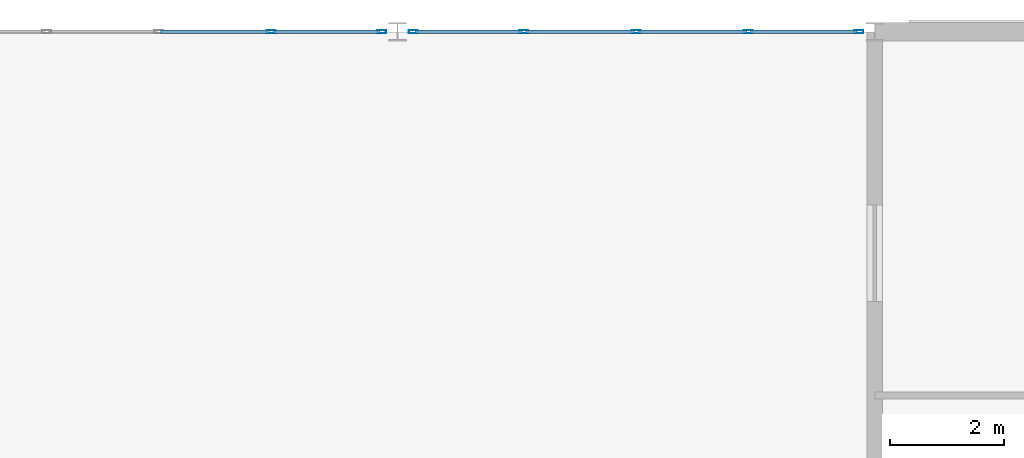
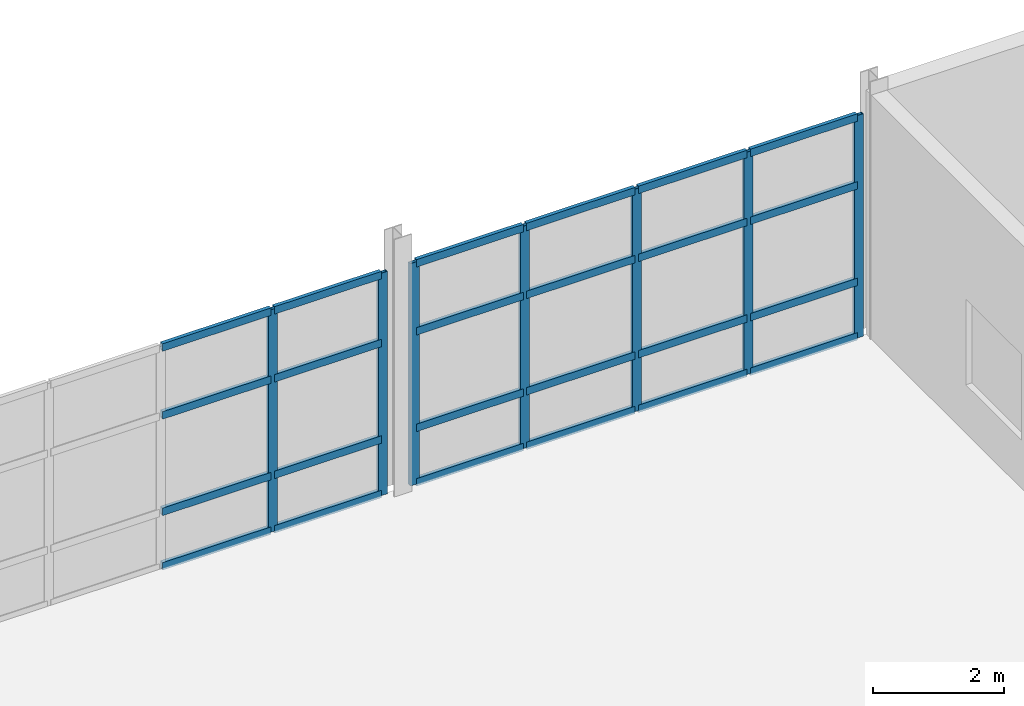
# One storey, part 9 of 14: 31 members, 2 elements without a shape of their own.
"""IFC4 building model written with IfcOpenShell, lengths in metres."""

from ifc_helpers import new_model, si_unit, direction, frame, origin, origin_2d, place, context, subcontext, project, spatial, hollow_rectangle, extrude, material, layer, layer_set, material_profile, profile_set, type_object, element, aggregate, save


model = new_model("IFC4")

# Units and contexts
model_context = context("Model", 3, precision=1e-05, world=origin(), true_north=direction((0.0, 1.0)))
body_context = subcontext(model_context, "Body", "Model", "MODEL_VIEW")
ifc_project = project(units=[si_unit("LENGTHUNIT", "METRE"), si_unit("AREAUNIT", "SQUARE_METRE"), si_unit("VOLUMEUNIT", "CUBIC_METRE"), si_unit("PLANEANGLEUNIT", "RADIAN"), si_unit("MASSUNIT", "GRAM", prefix="KILO")], contexts=[model_context])

# Site, building, storey
site_placement = place(None, origin())
site = spatial("IfcSite", under=ifc_project, at=site_placement, CompositionType="ELEMENT")
building_placement = place(site_placement, origin())
building = spatial("IfcBuilding", under=site, at=building_placement, Name="Selat Folded Stagehouse", CompositionType="ELEMENT")
storey_placement = place(building_placement, frame((0.0, 0.0, 27.60009765625)))
storey = spatial("IfcBuildingStorey", under=building, at=storey_placement, Name="L06", CompositionType="ELEMENT", Elevation=27.60009765625)

# Curtain wall, members
ifc_material = material(Name="Aluminium 6063-T6", Category="aluminium")
ifc_layer = layer(ifc_material, 0.175048828125)
ifc_layer_set = layer_set([ifc_layer], Name="Aluminium 6063-T6")
curtain_wall_type = type_object("IfcCurtainWallType", Name="CW-BRG-GLAZ", PredefinedType="NOTDEFINED", material=ifc_layer_set)
curtain_wall_1_placement = place(storey_placement, origin())
curtain_wall_1 = element("IfcCurtainWall", 1, at=curtain_wall_1_placement, inside=storey, type_object=curtain_wall_type, Name="L06 curtain wall CW-BRG-29", PredefinedType="NOTDEFINED")
ifc_material_profile_1 = material_profile(ifc_material, hollow_rectangle(XDim=0.06005859375, YDim=0.159912109375, WallThickness=0.00390625, at=origin_2d()), Name="ALU 160x60x4.0")
ifc_profile_set_1 = profile_set([ifc_material_profile_1], Name="Aluminium 6063-T6")
member_type_1 = type_object("IfcMemberType", Name="CWM-MUL-160x60", PredefinedType="MULLION", material=ifc_profile_set_1)
member_1_placement = place(storey_placement, frame((22.97509765625, 54.60009765625, 0.0), z_axis=(0.0, 0.0, 1.0), x_axis=(0.0, 1.0, 0.0)))
member_1 = element("IfcMember", 2, at=member_1_placement, type_object=member_type_1, Name="CW-07 mullion 4", PredefinedType="MULLION", context=body_context, shape_type="SweptSolid", body=[
    extrude(hollow_rectangle(XDim=0.06005859375, YDim=0.159912109375, WallThickness=0.00390625, at=origin_2d()), origin(), (0.0, 0.0, 1.0), 4.14990234375),
])
member_2_placement = place(storey_placement, frame((24.919921875, 54.60009765625, 0.0), z_axis=(0.0, 0.0, 1.0), x_axis=(0.0, 1.0, 0.0)))
member_2 = element("IfcMember", 3, at=member_2_placement, type_object=member_type_1, Name="CW-07 mullion 5", PredefinedType="MULLION", context=body_context, shape_type="SweptSolid", body=[
    extrude(hollow_rectangle(XDim=0.06005859375, YDim=0.159912109375, WallThickness=0.00390625, at=origin_2d()), origin(), (0.0, 0.0, 1.0), 4.14990234375),
])

curtain_wall_2_placement = place(storey_placement, origin())
curtain_wall_2 = element("IfcCurtainWall", 4, at=curtain_wall_2_placement, inside=storey, type_object=curtain_wall_type, Name="L06 curtain wall CW-BRG-30", PredefinedType="NOTDEFINED")
member_3_placement = place(storey_placement, frame((25.47998046875, 54.60009765625, 0.0), z_axis=(0.0, 0.0, 1.0), x_axis=(0.0, 1.0, 0.0)))
member_3 = element("IfcMember", 5, at=member_3_placement, type_object=member_type_1, Name="CW-07 mullion 1", PredefinedType="MULLION", context=body_context, shape_type="SweptSolid", body=[
    extrude(hollow_rectangle(XDim=0.06005859375, YDim=0.159912109375, WallThickness=0.00390625, at=origin_2d()), origin(), (0.0, 0.0, 1.0), 4.14990234375),
])
member_4_placement = place(storey_placement, frame((27.425048828125, 54.60009765625, 0.0), z_axis=(0.0, 0.0, 1.0), x_axis=(0.0, 1.0, 0.0)))
member_4 = element("IfcMember", 6, at=member_4_placement, type_object=member_type_1, Name="CW-07 mullion 2", PredefinedType="MULLION", context=body_context, shape_type="SweptSolid", body=[
    extrude(hollow_rectangle(XDim=0.06005859375, YDim=0.159912109375, WallThickness=0.00390625, at=origin_2d()), origin(), (0.0, 0.0, 1.0), 4.14990234375),
])
member_5_placement = place(storey_placement, frame((29.39990234375, 54.60009765625, 0.0), z_axis=(0.0, 0.0, 1.0), x_axis=(0.0, 1.0, 0.0)))
member_5 = element("IfcMember", 7, at=member_5_placement, type_object=member_type_1, Name="CW-07 mullion 3", PredefinedType="MULLION", context=body_context, shape_type="SweptSolid", body=[
    extrude(hollow_rectangle(XDim=0.06005859375, YDim=0.159912109375, WallThickness=0.00390625, at=origin_2d()), origin(), (0.0, 0.0, 1.0), 4.14990234375),
])
member_6_placement = place(storey_placement, frame((31.375, 54.60009765625, 0.0), z_axis=(0.0, 0.0, 1.0), x_axis=(0.0, 1.0, 0.0)))
member_6 = element("IfcMember", 8, at=member_6_placement, type_object=member_type_1, Name="CW-07 mullion 4", PredefinedType="MULLION", context=body_context, shape_type="SweptSolid", body=[
    extrude(hollow_rectangle(XDim=0.06005859375, YDim=0.159912109375, WallThickness=0.00390625, at=origin_2d()), origin(), (0.0, 0.0, 1.0), 4.14990234375),
])
member_7_placement = place(storey_placement, frame((33.320068359375, 54.60009765625, 0.0), z_axis=(0.0, 0.0, 1.0), x_axis=(0.0, 1.0, 0.0)))
member_7 = element("IfcMember", 9, at=member_7_placement, type_object=member_type_1, Name="CW-07 mullion 5", PredefinedType="MULLION", context=body_context, shape_type="SweptSolid", body=[
    extrude(hollow_rectangle(XDim=0.06005859375, YDim=0.159912109375, WallThickness=0.00390625, at=origin_2d()), origin(), (0.0, 0.0, 1.0), 4.14990234375),
])

# Member
ifc_material_profile_2 = material_profile(ifc_material, hollow_rectangle(XDim=0.06494140625, YDim=0.139892578125, WallThickness=0.00390625, at=origin_2d()), Name="ALU 140x65x4.0")
ifc_profile_set_2 = profile_set([ifc_material_profile_2], Name="Aluminium 6063-T6")
member_type_2 = type_object("IfcMemberType", Name="CWM-TRN-140x65", PredefinedType="USERDEFINED", material=ifc_profile_set_2)
member_8_placement = place(storey_placement, frame((21.030029296875, 54.60009765625, 0.032470703125), z_axis=(1.0, 0.0, 0.0), x_axis=(0.0, 1.0, 0.0)))
member_8 = element("IfcMember", 10, at=member_8_placement, type_object=member_type_2, Name="CW-07 transom 3.1", ObjectType="TRANSOM", PredefinedType="USERDEFINED", context=body_context, shape_type="SweptSolid", body=[
    extrude(hollow_rectangle(XDim=0.06494140625, YDim=0.139892578125, WallThickness=0.00390625, at=origin_2d()), origin(), (0.0, 0.0, 1.0), 1.9150390625),
])

member_9_placement = place(storey_placement, frame((21.030029296875, 54.60009765625, 1.0498046875), z_axis=(1.0, 0.0, 0.0), x_axis=(0.0, 1.0, 0.0)))
member_9 = element("IfcMember", 11, at=member_9_placement, type_object=member_type_2, Name="CW-07 transom 3.2", ObjectType="TRANSOM", PredefinedType="USERDEFINED", context=body_context, shape_type="SweptSolid", body=[
    extrude(hollow_rectangle(XDim=0.06494140625, YDim=0.139892578125, WallThickness=0.00390625, at=origin_2d()), origin(), (0.0, 0.0, 1.0), 1.9150390625),
])

member_10_placement = place(storey_placement, frame((21.030029296875, 54.60009765625, 2.849853515625), z_axis=(1.0, 0.0, 0.0), x_axis=(0.0, 1.0, 0.0)))
member_10 = element("IfcMember", 12, at=member_10_placement, type_object=member_type_2, Name="CW-07 transom 3.3", ObjectType="TRANSOM", PredefinedType="USERDEFINED", context=body_context, shape_type="SweptSolid", body=[
    extrude(hollow_rectangle(XDim=0.06494140625, YDim=0.139892578125, WallThickness=0.00390625, at=origin_2d()), origin(), (0.0, 0.0, 1.0), 1.9150390625),
])

member_11_placement = place(storey_placement, frame((21.030029296875, 54.60009765625, 4.117431640625), z_axis=(1.0, 0.0, 0.0), x_axis=(0.0, 1.0, 0.0)))
member_11 = element("IfcMember", 13, at=member_11_placement, type_object=member_type_2, Name="CW-07 transom 3.4", ObjectType="TRANSOM", PredefinedType="USERDEFINED", context=body_context, shape_type="SweptSolid", body=[
    extrude(hollow_rectangle(XDim=0.06494140625, YDim=0.139892578125, WallThickness=0.00390625, at=origin_2d()), origin(), (0.0, 0.0, 1.0), 1.9150390625),
])

member_12_placement = place(storey_placement, frame((23.0048828125, 54.60009765625, 0.032470703125), z_axis=(1.0, 0.0, 0.0), x_axis=(0.0, 1.0, 0.0)))
member_12 = element("IfcMember", 14, at=member_12_placement, type_object=member_type_2, Name="CW-07 transom 4.1", ObjectType="TRANSOM", PredefinedType="USERDEFINED", context=body_context, shape_type="SweptSolid", body=[
    extrude(hollow_rectangle(XDim=0.06494140625, YDim=0.139892578125, WallThickness=0.00390625, at=origin_2d()), origin(), (0.0, 0.0, 1.0), 1.885009765625),
])

member_13_placement = place(storey_placement, frame((23.0048828125, 54.60009765625, 1.0498046875), z_axis=(1.0, 0.0, 0.0), x_axis=(0.0, 1.0, 0.0)))
member_13 = element("IfcMember", 15, at=member_13_placement, type_object=member_type_2, Name="CW-07 transom 4.2", ObjectType="TRANSOM", PredefinedType="USERDEFINED", context=body_context, shape_type="SweptSolid", body=[
    extrude(hollow_rectangle(XDim=0.06494140625, YDim=0.139892578125, WallThickness=0.00390625, at=origin_2d()), origin(), (0.0, 0.0, 1.0), 1.885009765625),
])

member_14_placement = place(storey_placement, frame((23.0048828125, 54.60009765625, 2.849853515625), z_axis=(1.0, 0.0, 0.0), x_axis=(0.0, 1.0, 0.0)))
member_14 = element("IfcMember", 16, at=member_14_placement, type_object=member_type_2, Name="CW-07 transom 4.3", ObjectType="TRANSOM", PredefinedType="USERDEFINED", context=body_context, shape_type="SweptSolid", body=[
    extrude(hollow_rectangle(XDim=0.06494140625, YDim=0.139892578125, WallThickness=0.00390625, at=origin_2d()), origin(), (0.0, 0.0, 1.0), 1.885009765625),
])

member_15_placement = place(storey_placement, frame((23.0048828125, 54.60009765625, 4.117431640625), z_axis=(1.0, 0.0, 0.0), x_axis=(0.0, 1.0, 0.0)))
member_15 = element("IfcMember", 17, at=member_15_placement, type_object=member_type_2, Name="CW-07 transom 4.4", ObjectType="TRANSOM", PredefinedType="USERDEFINED", context=body_context, shape_type="SweptSolid", body=[
    extrude(hollow_rectangle(XDim=0.06494140625, YDim=0.139892578125, WallThickness=0.00390625, at=origin_2d()), origin(), (0.0, 0.0, 1.0), 1.885009765625),
])

aggregate(curtain_wall_1, [member_1, member_2, member_8, member_9, member_10, member_11, member_12, member_13, member_14, member_15])

member_16_placement = place(storey_placement, frame((25.510009765625, 54.60009765625, 0.032470703125), z_axis=(1.0, 0.0, 0.0), x_axis=(0.0, 1.0, 0.0)))
member_16 = element("IfcMember", 18, at=member_16_placement, type_object=member_type_2, Name="CW-07 transom 1.1", ObjectType="TRANSOM", PredefinedType="USERDEFINED", context=body_context, shape_type="SweptSolid", body=[
    extrude(hollow_rectangle(XDim=0.06494140625, YDim=0.139892578125, WallThickness=0.00390625, at=origin_2d()), origin(), (0.0, 0.0, 1.0), 1.885009765625),
])

member_17_placement = place(storey_placement, frame((25.510009765625, 54.60009765625, 1.0498046875), z_axis=(1.0, 0.0, 0.0), x_axis=(0.0, 1.0, 0.0)))
member_17 = element("IfcMember", 19, at=member_17_placement, type_object=member_type_2, Name="CW-07 transom 1.2", ObjectType="TRANSOM", PredefinedType="USERDEFINED", context=body_context, shape_type="SweptSolid", body=[
    extrude(hollow_rectangle(XDim=0.06494140625, YDim=0.139892578125, WallThickness=0.00390625, at=origin_2d()), origin(), (0.0, 0.0, 1.0), 1.885009765625),
])

member_18_placement = place(storey_placement, frame((25.510009765625, 54.60009765625, 2.849853515625), z_axis=(1.0, 0.0, 0.0), x_axis=(0.0, 1.0, 0.0)))
member_18 = element("IfcMember", 20, at=member_18_placement, type_object=member_type_2, Name="CW-07 transom 1.3", ObjectType="TRANSOM", PredefinedType="USERDEFINED", context=body_context, shape_type="SweptSolid", body=[
    extrude(hollow_rectangle(XDim=0.06494140625, YDim=0.139892578125, WallThickness=0.00390625, at=origin_2d()), origin(), (0.0, 0.0, 1.0), 1.885009765625),
])

member_19_placement = place(storey_placement, frame((25.510009765625, 54.60009765625, 4.117431640625), z_axis=(1.0, 0.0, 0.0), x_axis=(0.0, 1.0, 0.0)))
member_19 = element("IfcMember", 21, at=member_19_placement, type_object=member_type_2, Name="CW-07 transom 1.4", ObjectType="TRANSOM", PredefinedType="USERDEFINED", context=body_context, shape_type="SweptSolid", body=[
    extrude(hollow_rectangle(XDim=0.06494140625, YDim=0.139892578125, WallThickness=0.00390625, at=origin_2d()), origin(), (0.0, 0.0, 1.0), 1.885009765625),
])

member_20_placement = place(storey_placement, frame((27.455078125, 54.60009765625, 0.032470703125), z_axis=(1.0, 0.0, 0.0), x_axis=(0.0, 1.0, 0.0)))
member_20 = element("IfcMember", 22, at=member_20_placement, type_object=member_type_2, Name="CW-07 transom 2.1", ObjectType="TRANSOM", PredefinedType="USERDEFINED", context=body_context, shape_type="SweptSolid", body=[
    extrude(hollow_rectangle(XDim=0.06494140625, YDim=0.139892578125, WallThickness=0.00390625, at=origin_2d()), origin(), (0.0, 0.0, 1.0), 1.9150390625),
])

member_21_placement = place(storey_placement, frame((27.455078125, 54.60009765625, 1.0498046875), z_axis=(1.0, 0.0, 0.0), x_axis=(0.0, 1.0, 0.0)))
member_21 = element("IfcMember", 23, at=member_21_placement, type_object=member_type_2, Name="CW-07 transom 2.2", ObjectType="TRANSOM", PredefinedType="USERDEFINED", context=body_context, shape_type="SweptSolid", body=[
    extrude(hollow_rectangle(XDim=0.06494140625, YDim=0.139892578125, WallThickness=0.00390625, at=origin_2d()), origin(), (0.0, 0.0, 1.0), 1.9150390625),
])

member_22_placement = place(storey_placement, frame((27.455078125, 54.60009765625, 2.849853515625), z_axis=(1.0, 0.0, 0.0), x_axis=(0.0, 1.0, 0.0)))
member_22 = element("IfcMember", 24, at=member_22_placement, type_object=member_type_2, Name="CW-07 transom 2.3", ObjectType="TRANSOM", PredefinedType="USERDEFINED", context=body_context, shape_type="SweptSolid", body=[
    extrude(hollow_rectangle(XDim=0.06494140625, YDim=0.139892578125, WallThickness=0.00390625, at=origin_2d()), origin(), (0.0, 0.0, 1.0), 1.9150390625),
])

member_23_placement = place(storey_placement, frame((27.455078125, 54.60009765625, 4.117431640625), z_axis=(1.0, 0.0, 0.0), x_axis=(0.0, 1.0, 0.0)))
member_23 = element("IfcMember", 25, at=member_23_placement, type_object=member_type_2, Name="CW-07 transom 2.4", ObjectType="TRANSOM", PredefinedType="USERDEFINED", context=body_context, shape_type="SweptSolid", body=[
    extrude(hollow_rectangle(XDim=0.06494140625, YDim=0.139892578125, WallThickness=0.00390625, at=origin_2d()), origin(), (0.0, 0.0, 1.0), 1.9150390625),
])

member_24_placement = place(storey_placement, frame((29.429931640625, 54.60009765625, 0.032470703125), z_axis=(1.0, 0.0, 0.0), x_axis=(0.0, 1.0, 0.0)))
member_24 = element("IfcMember", 26, at=member_24_placement, type_object=member_type_2, Name="CW-07 transom 3.1", ObjectType="TRANSOM", PredefinedType="USERDEFINED", context=body_context, shape_type="SweptSolid", body=[
    extrude(hollow_rectangle(XDim=0.06494140625, YDim=0.139892578125, WallThickness=0.00390625, at=origin_2d()), origin(), (0.0, 0.0, 1.0), 1.9150390625),
])

member_25_placement = place(storey_placement, frame((29.429931640625, 54.60009765625, 1.0498046875), z_axis=(1.0, 0.0, 0.0), x_axis=(0.0, 1.0, 0.0)))
member_25 = element("IfcMember", 27, at=member_25_placement, type_object=member_type_2, Name="CW-07 transom 3.2", ObjectType="TRANSOM", PredefinedType="USERDEFINED", context=body_context, shape_type="SweptSolid", body=[
    extrude(hollow_rectangle(XDim=0.06494140625, YDim=0.139892578125, WallThickness=0.00390625, at=origin_2d()), origin(), (0.0, 0.0, 1.0), 1.9150390625),
])

member_26_placement = place(storey_placement, frame((29.429931640625, 54.60009765625, 2.849853515625), z_axis=(1.0, 0.0, 0.0), x_axis=(0.0, 1.0, 0.0)))
member_26 = element("IfcMember", 28, at=member_26_placement, type_object=member_type_2, Name="CW-07 transom 3.3", ObjectType="TRANSOM", PredefinedType="USERDEFINED", context=body_context, shape_type="SweptSolid", body=[
    extrude(hollow_rectangle(XDim=0.06494140625, YDim=0.139892578125, WallThickness=0.00390625, at=origin_2d()), origin(), (0.0, 0.0, 1.0), 1.9150390625),
])

member_27_placement = place(storey_placement, frame((29.429931640625, 54.60009765625, 4.117431640625), z_axis=(1.0, 0.0, 0.0), x_axis=(0.0, 1.0, 0.0)))
member_27 = element("IfcMember", 29, at=member_27_placement, type_object=member_type_2, Name="CW-07 transom 3.4", ObjectType="TRANSOM", PredefinedType="USERDEFINED", context=body_context, shape_type="SweptSolid", body=[
    extrude(hollow_rectangle(XDim=0.06494140625, YDim=0.139892578125, WallThickness=0.00390625, at=origin_2d()), origin(), (0.0, 0.0, 1.0), 1.9150390625),
])

member_28_placement = place(storey_placement, frame((31.405029296875, 54.60009765625, 0.032470703125), z_axis=(1.0, 0.0, 0.0), x_axis=(0.0, 1.0, 0.0)))
member_28 = element("IfcMember", 30, at=member_28_placement, type_object=member_type_2, Name="CW-07 transom 4.1", ObjectType="TRANSOM", PredefinedType="USERDEFINED", context=body_context, shape_type="SweptSolid", body=[
    extrude(hollow_rectangle(XDim=0.06494140625, YDim=0.139892578125, WallThickness=0.00390625, at=origin_2d()), origin(), (0.0, 0.0, 1.0), 1.885009765625),
])

member_29_placement = place(storey_placement, frame((31.405029296875, 54.60009765625, 1.0498046875), z_axis=(1.0, 0.0, 0.0), x_axis=(0.0, 1.0, 0.0)))
member_29 = element("IfcMember", 31, at=member_29_placement, type_object=member_type_2, Name="CW-07 transom 4.2", ObjectType="TRANSOM", PredefinedType="USERDEFINED", context=body_context, shape_type="SweptSolid", body=[
    extrude(hollow_rectangle(XDim=0.06494140625, YDim=0.139892578125, WallThickness=0.00390625, at=origin_2d()), origin(), (0.0, 0.0, 1.0), 1.885009765625),
])

member_30_placement = place(storey_placement, frame((31.405029296875, 54.60009765625, 2.849853515625), z_axis=(1.0, 0.0, 0.0), x_axis=(0.0, 1.0, 0.0)))
member_30 = element("IfcMember", 32, at=member_30_placement, type_object=member_type_2, Name="CW-07 transom 4.3", ObjectType="TRANSOM", PredefinedType="USERDEFINED", context=body_context, shape_type="SweptSolid", body=[
    extrude(hollow_rectangle(XDim=0.06494140625, YDim=0.139892578125, WallThickness=0.00390625, at=origin_2d()), origin(), (0.0, 0.0, 1.0), 1.885009765625),
])

member_31_placement = place(storey_placement, frame((31.405029296875, 54.60009765625, 4.117431640625), z_axis=(1.0, 0.0, 0.0), x_axis=(0.0, 1.0, 0.0)))
member_31 = element("IfcMember", 33, at=member_31_placement, type_object=member_type_2, Name="CW-07 transom 4.4", ObjectType="TRANSOM", PredefinedType="USERDEFINED", context=body_context, shape_type="SweptSolid", body=[
    extrude(hollow_rectangle(XDim=0.06494140625, YDim=0.139892578125, WallThickness=0.00390625, at=origin_2d()), origin(), (0.0, 0.0, 1.0), 1.885009765625),
])

aggregate(curtain_wall_2, [member_3, member_4, member_5, member_6, member_7, member_16, member_17, member_18, member_19, member_20, member_21, member_22, member_23, member_24, member_25, member_26, member_27, member_28, member_29, member_30, member_31])

save(model, "model.ifc")
